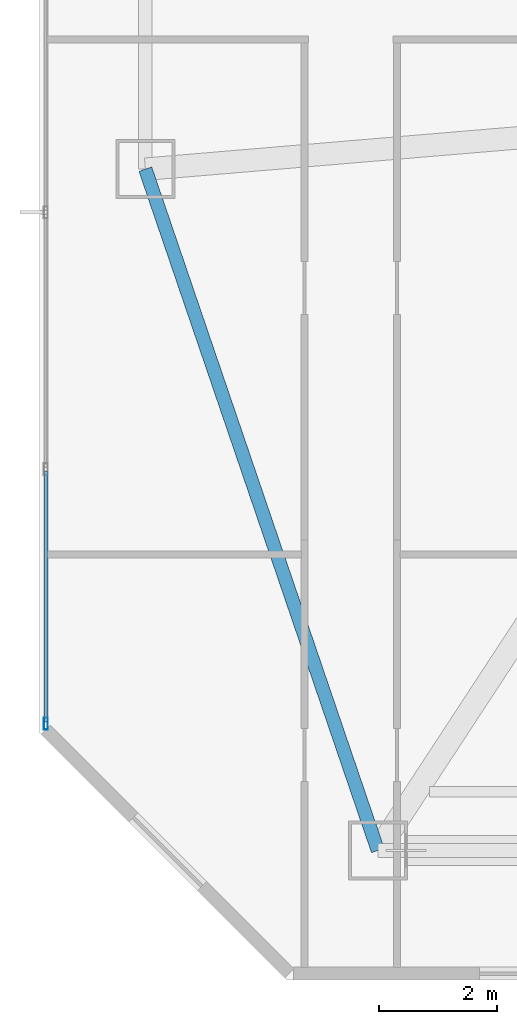
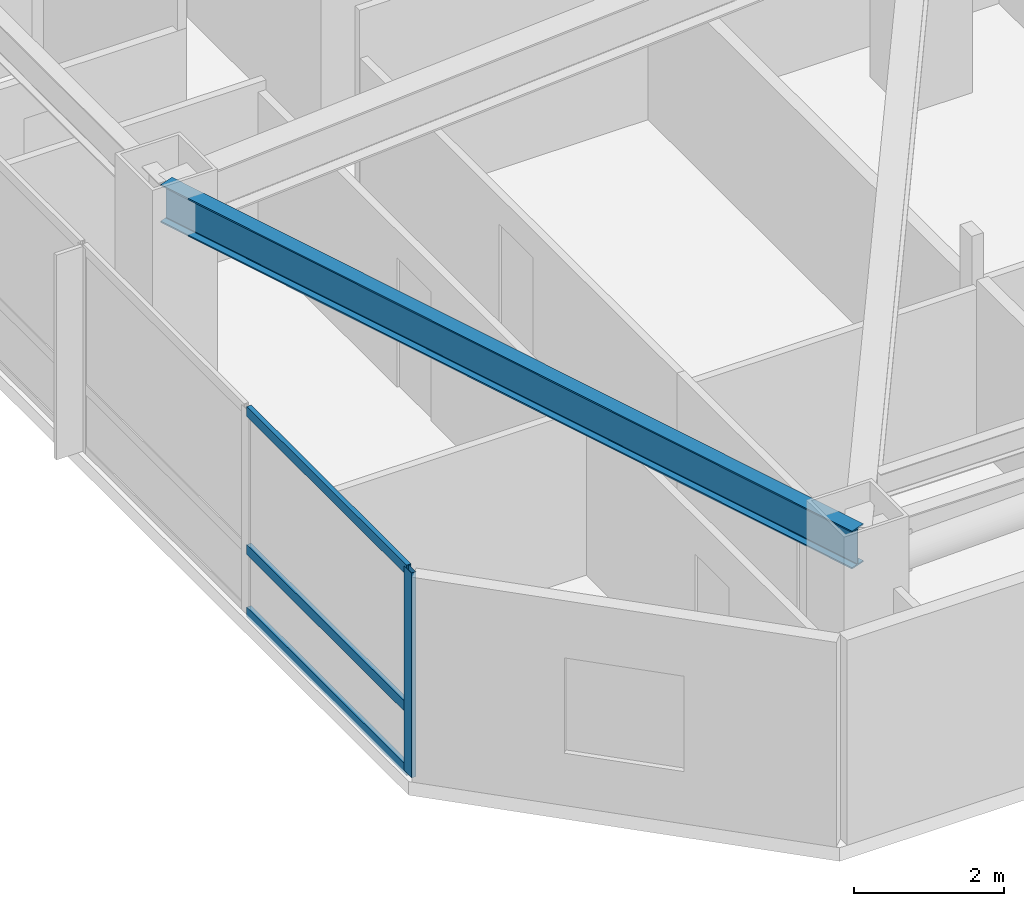
# One storey, part 2 of 18: 4 members, 1 beam, 1 element without a shape of its own.
"""IFC4 building model written with IfcOpenShell, lengths in metres."""

from ifc_helpers import new_model, si_unit, direction, frame, origin, origin_2d, place, context, subcontext, project, spatial, hollow_rectangle, i_section, extrude, material, material_profile, profile_set, type_object, element, aggregate, save


model = new_model("IFC4")

# Units and contexts
model_context = context("Model", 3, precision=1e-05, world=origin(), true_north=direction((0.0, 1.0)))
body_context = subcontext(model_context, "Body", "Model", "MODEL_VIEW")
ifc_project = project(units=[si_unit("LENGTHUNIT", "METRE"), si_unit("AREAUNIT", "SQUARE_METRE"), si_unit("VOLUMEUNIT", "CUBIC_METRE"), si_unit("PLANEANGLEUNIT", "RADIAN"), si_unit("MASSUNIT", "GRAM", prefix="KILO")], contexts=[model_context])

# Site, building, storey
site_placement = place(None, origin())
site = spatial("IfcSite", under=ifc_project, at=site_placement, CompositionType="ELEMENT")
building_placement = place(site_placement, origin())
building = spatial("IfcBuilding", under=site, at=building_placement, Name="Khamvora Tower", CompositionType="ELEMENT")
storey_placement = place(building_placement, frame((0.0, 0.0, 80.75)))
storey = spatial("IfcBuildingStorey", under=building, at=storey_placement, Name="L20", CompositionType="ELEMENT", Elevation=80.75)

# Beam
ifc_material_1 = material(Name="Steel S355", Category="steel")
ifc_material_profile_1 = material_profile(ifc_material_1, i_section(OverallWidth=0.22998046875, OverallDepth=0.616943359375, WebThickness=0.012939453125, FlangeThickness=0.02197265625, FilletRadius=0.013916015625, at=origin_2d()), Name="W610x140")
ifc_profile_set_1 = profile_set([ifc_material_profile_1], Name="Steel S355")
beam_type = type_object("IfcBeamType", Name="BM-SP-W610x140", PredefinedType="SPANDREL", material=ifc_profile_set_1)
beam_placement = place(storey_placement, frame((5.800048828125, 16.77490234375, 3.02197265625), z_axis=(0.322962893199, -0.946411628002, 0.0), x_axis=(0.946411628002, 0.322962893199, 0.0)))
element("IfcBeam", 1, at=beam_placement, inside=storey, type_object=beam_type, Name="L20 perimeter spandrel beam W1-S1", PredefinedType="SPANDREL", context=body_context, shape_type="SweptSolid", body=[
    extrude(i_section(OverallWidth=0.22998046875, OverallDepth=0.616943359375, WebThickness=0.012939453125, FlangeThickness=0.02197265625, FilletRadius=0.013916015625, at=origin_2d()), origin(), (0.0, 0.0, 1.0), 12.23046875),
])

# Curtain wall, members
ifc_material_2 = material(Name="Anodised Aluminium 6063-T6", Category="aluminium")
curtain_wall_type = type_object("IfcCurtainWallType", Name="CW-SYS-02", PredefinedType="NOTDEFINED", material=ifc_material_2)
curtain_wall_placement = place(storey_placement, origin())
curtain_wall = element("IfcCurtainWall", 2, at=curtain_wall_placement, inside=storey, type_object=curtain_wall_type, Name="L20 stick curtain wall 02.1", PredefinedType="NOTDEFINED")
ifc_material_profile_2 = material_profile(ifc_material_2, hollow_rectangle(XDim=0.070068359375, YDim=0.199951171875, WallThickness=0.0048828125, at=origin_2d()), Name="MUL70x200x5")
ifc_profile_set_2 = profile_set([ifc_material_profile_2], Name="Anodised Aluminium 6063-T6")
member_type_1 = type_object("IfcMemberType", Name="CW-SYS-02-MUL", PredefinedType="MULLION", material=ifc_profile_set_2)
member_1_placement = place(storey_placement, frame((4.110107421875, 7.35205078125, 0.0), z_axis=(0.0, 0.0, 1.0), x_axis=(-1.0, 0.0, 0.0)))
member_1 = element("IfcMember", 3, at=member_1_placement, type_object=member_type_1, Name="CW-02 mullion 1", PredefinedType="MULLION", context=body_context, shape_type="SweptSolid", body=[
    extrude(hollow_rectangle(XDim=0.070068359375, YDim=0.199951171875, WallThickness=0.0048828125, at=origin_2d()), origin(), (0.0, 0.0, 1.0), 3.330078125),
])
ifc_material_profile_3 = material_profile(ifc_material_2, hollow_rectangle(XDim=0.070068359375, YDim=0.1650390625, WallThickness=0.0048828125, at=origin_2d()), Name="TRN70x165x5")
ifc_profile_set_3 = profile_set([ifc_material_profile_3], Name="Anodised Aluminium 6063-T6")
member_type_2 = type_object("IfcMemberType", Name="CW-SYS-02-TRN", PredefinedType="USERDEFINED", material=ifc_profile_set_3)
member_2_placement = place(storey_placement, frame((4.110107421875, 7.386962890625, 0.034912109375), z_axis=(0.0, 1.0, 0.0), x_axis=(-1.0, 0.0, 0.0)))
member_2 = element("IfcMember", 4, at=member_2_placement, type_object=member_type_2, Name="CW-02 transom 1.1", ObjectType="TRANSOM", PredefinedType="USERDEFINED", context=body_context, shape_type="SweptSolid", body=[
    extrude(hollow_rectangle(XDim=0.070068359375, YDim=0.1650390625, WallThickness=0.0048828125, at=origin_2d()), origin(), (0.0, 0.0, 1.0), 4.256591796875),
])
member_3_placement = place(storey_placement, frame((4.110107421875, 7.386962890625, 1.050048828125), z_axis=(0.0, 1.0, 0.0), x_axis=(-1.0, 0.0, 0.0)))
member_3 = element("IfcMember", 5, at=member_3_placement, type_object=member_type_2, Name="CW-02 transom 1.2", ObjectType="TRANSOM", PredefinedType="USERDEFINED", context=body_context, shape_type="SweptSolid", body=[
    extrude(hollow_rectangle(XDim=0.070068359375, YDim=0.1650390625, WallThickness=0.0048828125, at=origin_2d()), origin(), (0.0, 0.0, 1.0), 4.256591796875),
])
member_4_placement = place(storey_placement, frame((4.110107421875, 7.386962890625, 3.294921875), z_axis=(0.0, 1.0, 0.0), x_axis=(-1.0, 0.0, 0.0)))
member_4 = element("IfcMember", 6, at=member_4_placement, type_object=member_type_2, Name="CW-02 transom 1.3", ObjectType="TRANSOM", PredefinedType="USERDEFINED", context=body_context, shape_type="SweptSolid", body=[
    extrude(hollow_rectangle(XDim=0.070068359375, YDim=0.1650390625, WallThickness=0.0048828125, at=origin_2d()), origin(), (0.0, 0.0, 1.0), 4.256591796875),
])
aggregate(curtain_wall, [member_1, member_2, member_3, member_4])

save(model, "model.ifc")
